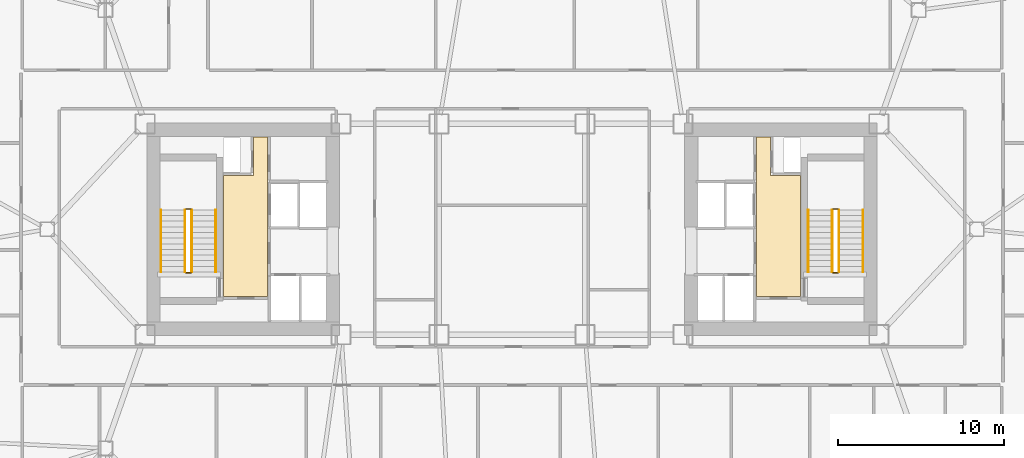
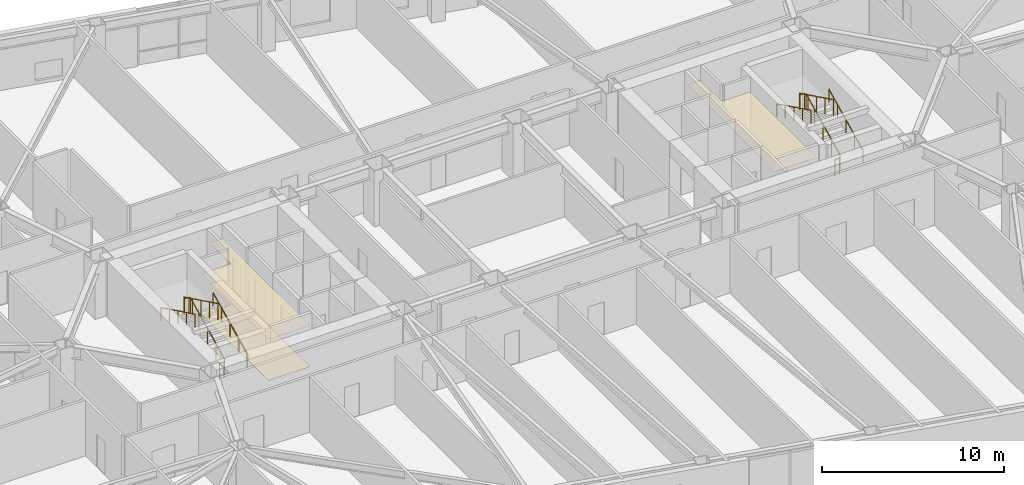
# One storey, part 22 of 22: 12 railings, 3 coverings.
"""IFC4 building model written with IfcOpenShell, lengths in metres."""

import ifcopenshell
import ifcopenshell.guid

model = None  # the IFC model being written
_history = None  # IfcOwnerHistory: only IFC2X3 demands one
_inside = {}  # id of a spatial element -> (the spatial element, [elements in it])
_under = {}  # id of a project, library or spatial element -> (it, [spatial elements below it])
_declared = {}  # id of a project -> (the project, [libraries it declares])
_typed = {}  # id of a type object -> (the type object, [elements of that type])
_made_of = {}  # id of a material, layer set ... -> (it, [elements and type objects made of it])


def new_model(schema):
    """Start an empty IFC model of exactly this schema.

    Asked for "IFC4X3", IfcOpenShell would pick the latest addendum, in which some entities
    have other attributes; the version numbers below select the first issue.
    IFC2X3 requires an IfcOwnerHistory on every rooted entity: one is made here for all.
    """
    global model, _history
    if schema == "IFC4X3":
        model = ifcopenshell.file(schema_version=(4, 3, 0, 0))
    else:
        model = ifcopenshell.file(schema=schema)
    _inside.clear()
    _under.clear()
    _declared.clear()
    _typed.clear()
    _made_of.clear()
    _history = None
    if model.schema == "IFC2X3":
        org = make("IfcOrganization", Name="unknown")
        user = make(
            "IfcPersonAndOrganization",
            ThePerson=make("IfcPerson", FamilyName="unknown"),
            TheOrganization=org,
        )
        app = make(
            "IfcApplication",
            ApplicationDeveloper=org,
            Version="unknown",
            ApplicationFullName="unknown",
            ApplicationIdentifier="unknown",
        )
        _history = make(
            "IfcOwnerHistory",
            OwningUser=user,
            OwningApplication=app,
            ChangeAction="ADDED",
            CreationDate=0,
        )
    return model


def make(cls, **values):
    """One entity of the class cls with the attributes given. An attribute that is None is left unset."""
    return model.create_entity(
        cls, **{name: value for name, value in values.items() if value is not None}
    )


def rooted(cls, **values):
    """An entity with a GlobalId (a new one), such as an element, a storey or a relation."""
    return make(cls, GlobalId=ifcopenshell.guid.new(), OwnerHistory=_history, **values)


def si_unit(unit_type, name, prefix=None):
    """IfcSIUnit, for example si_unit("LENGTHUNIT", "METRE", prefix="MILLI")."""
    return make("IfcSIUnit", UnitType=unit_type, Prefix=prefix, Name=name)


def assignment(units):
    """IfcUnitAssignment: the units of a project."""
    return None if units is None else make("IfcUnitAssignment", Units=units)


def point(xyz):
    """IfcCartesianPoint."""
    return None if xyz is None else make("IfcCartesianPoint", Coordinates=xyz)


def direction(xyz):
    """IfcDirection."""
    return None if xyz is None else make("IfcDirection", DirectionRatios=xyz)


def frame(location, z_axis=None, x_axis=None):
    """IfcAxis2Placement3D, a coordinate frame: its origin and axes. An axis left out is left unset."""
    return make(
        "IfcAxis2Placement3D",
        Location=point(location),
        Axis=direction(z_axis),
        RefDirection=direction(x_axis),
    )


def frame_2d(location, x_axis=None):
    """IfcAxis2Placement2D, a coordinate frame in the plane: its origin and x axis."""
    return make(
        "IfcAxis2Placement2D", Location=point(location), RefDirection=direction(x_axis)
    )


def origin():
    """The frame at (0, 0, 0) with its axes left unset."""
    return frame((0.0, 0.0, 0.0))


def origin_2d():
    """The frame at (0, 0) in the plane with its x axis left unset."""
    return frame_2d((0.0, 0.0))


def place(relative_to, where):
    """IfcLocalPlacement: puts the frame where relative to a parent placement (None: the world)."""
    return make(
        "IfcLocalPlacement", PlacementRelTo=relative_to, RelativePlacement=where
    )


def context(
    kind, dimensions, precision=None, world=None, true_north=None, identifier=None
):
    """IfcGeometricRepresentationContext, for example the 3D "Model" context."""
    return make(
        "IfcGeometricRepresentationContext",
        ContextIdentifier=identifier,
        ContextType=kind,
        CoordinateSpaceDimension=dimensions,
        Precision=precision,
        WorldCoordinateSystem=world,
        TrueNorth=true_north,
    )


def subcontext(parent, identifier, kind, view, scale=None):
    """IfcGeometricRepresentationSubContext, for example "Body" below "Model"."""
    return make(
        "IfcGeometricRepresentationSubContext",
        ContextIdentifier=identifier,
        ContextType=kind,
        ParentContext=parent,
        TargetScale=scale,
        TargetView=view,
    )


def project(units=None, contexts=None):
    """IfcProject with its units and contexts."""
    return rooted(
        "IfcProject",
        Name="project",
        RepresentationContexts=contexts,
        UnitsInContext=assignment(units),
    )


def spatial(cls, under=None, at=None, **own):
    """A site, building, storey or space (cls), placed at a placement, below another one or the project."""
    s = rooted(cls, ObjectPlacement=at, **own)
    if under is not None:
        _under.setdefault(under.id(), (under, []))[1].append(s)
    return s


def polyline(points):
    """IfcPolyline through the points."""
    return make("IfcPolyline", Points=[point(p) for p in points])


def profile(cls, at=None, kind="AREA", **sizes):
    """A parametric profile (cls). Its sizes go by their IFC names, for example OverallWidth=200.0."""
    return make(cls, ProfileType=kind, Position=at, **sizes)


def rectangle(**sizes):
    """IfcRectangleProfileDef."""
    return profile("IfcRectangleProfileDef", **sizes)


def outline(outer, holes=None, kind="AREA"):
    """IfcArbitraryClosedProfileDef: a profile drawn as a closed curve; with holes, ...WithVoids."""
    if holes is None:
        return make("IfcArbitraryClosedProfileDef", ProfileType=kind, OuterCurve=outer)
    return make(
        "IfcArbitraryProfileDefWithVoids",
        ProfileType=kind,
        OuterCurve=outer,
        InnerCurves=holes,
    )


def extrude(swept, where, along, depth):
    """IfcExtrudedAreaSolid: the profile swept, set in the frame where, extruded along a direction by depth."""
    return make(
        "IfcExtrudedAreaSolid",
        SweptArea=swept,
        Position=where,
        ExtrudedDirection=direction(along),
        Depth=depth,
    )


def shape(context_of_items, identifier, shape_type, items):
    """IfcShapeRepresentation: the items that make up one representation, for example the "Body"."""
    return make(
        "IfcShapeRepresentation",
        ContextOfItems=context_of_items,
        RepresentationIdentifier=identifier,
        RepresentationType=shape_type,
        Items=items,
    )


def material(Name=None, Category=None):
    """IfcMaterial."""
    return make("IfcMaterial", Name=Name, Category=Category)


def layer(
    of_material, thickness, ventilated=None, Name=None, Category=None, Priority=None
):
    """IfcMaterialLayer: one layer of a wall or slab, of a material (None: an air gap)."""
    return make(
        "IfcMaterialLayer",
        Material=of_material,
        LayerThickness=thickness,
        IsVentilated=ventilated,
        Name=Name,
        Category=Category,
        Priority=Priority,
    )


def layer_set(layers, Name=None):
    """IfcMaterialLayerSet."""
    return make("IfcMaterialLayerSet", MaterialLayers=layers, LayerSetName=Name)


def made_of(thing, what):
    """Note that an element or type object is made of a material, layer set ...; save() writes the relation."""
    if what is not None:
        _made_of.setdefault(what.id(), (what, []))[1].append(thing)
    return thing


def type_object(cls, material=None, **own):
    """A type object (cls), such as IfcWallType, which elements share."""
    return made_of(rooted(cls, **own), material)


def element(
    cls,
    number,
    at=None,
    inside=None,
    cuts=None,
    type_object=None,
    material=None,
    context=None,
    identifier="Body",
    shape_type=None,
    held_by="IfcProductDefinitionShape",
    body=None,
    shapes=None,
    **own,
):
    """One element of the class cls, such as IfcWall. Its Tag is "e" and its number.

    at: its placement. inside: the storey or other place that contains it. cuts: it is an
    opening in that element (IfcRelVoidsElement). A single representation is given by context,
    identifier, shape_type and body (its items); several are given by shapes. held_by: the class
    of the entity that holds the representations. save() writes the other relations.
    """
    e = rooted(cls, Tag="e%d" % number, ObjectPlacement=at, **own)
    if body is not None:
        shapes = [shape(context, identifier, shape_type, body)]
    if shapes is not None:
        e.Representation = make(held_by, Representations=shapes)
    if inside is not None:
        _inside.setdefault(inside.id(), (inside, []))[1].append(e)
    if cuts is not None:
        rooted(
            "IfcRelVoidsElement", RelatingBuildingElement=cuts, RelatedOpeningElement=e
        )
    if type_object is not None:
        _typed.setdefault(type_object.id(), (type_object, []))[1].append(e)
    return made_of(e, material)


def aggregate(whole, parts):
    """IfcRelAggregates: a whole, such as a stair, and the parts it consists of."""
    return rooted("IfcRelAggregates", RelatingObject=whole, RelatedObjects=parts)


def save(model, path):
    """Write the relations noted so far, then the file.

    IfcRelAggregates (storeys below a building ...), IfcRelContainedInSpatialStructure (elements
    in a storey), IfcRelDefinesByType, IfcRelAssociatesMaterial and IfcRelDeclares: one each for
    every whole, place, type object, material and project.
    """
    for whole, parts in _under.values():
        aggregate(whole, parts)
    for where, things in _inside.values():
        rooted(
            "IfcRelContainedInSpatialStructure",
            RelatedElements=things,
            RelatingStructure=where,
        )
    for kind, things in _typed.values():
        rooted("IfcRelDefinesByType", RelatedObjects=things, RelatingType=kind)
    for what, things in _made_of.values():
        rooted("IfcRelAssociatesMaterial", RelatedObjects=things, RelatingMaterial=what)
    for by, libraries in _declared.values():
        rooted("IfcRelDeclares", RelatingContext=by, RelatedDefinitions=libraries)
    model.write(path)


model = new_model("IFC4")

# Units and contexts
model_context = context("Model", 3, precision=1e-05, world=origin(), true_north=direction((0.0, 1.0)))
body_context = subcontext(model_context, "Body", "Model", "MODEL_VIEW")
ifc_project = project(units=[si_unit("LENGTHUNIT", "METRE"), si_unit("AREAUNIT", "SQUARE_METRE"), si_unit("VOLUMEUNIT", "CUBIC_METRE"), si_unit("PLANEANGLEUNIT", "RADIAN"), si_unit("MASSUNIT", "GRAM", prefix="KILO")], contexts=[model_context])

# Site, building, storey
site_placement = place(None, origin())
site = spatial("IfcSite", under=ifc_project, at=site_placement, CompositionType="ELEMENT")
building_placement = place(site_placement, origin())
building = spatial("IfcBuilding", under=site, at=building_placement, Name="Tavrogorsk Clinical Tower", CompositionType="ELEMENT")
storey_placement = place(building_placement, frame((0.0, 0.0, 55.39990234375)))
storey = spatial("IfcBuildingStorey", under=building, at=storey_placement, Name="L11", CompositionType="ELEMENT", Elevation=55.39990234375)

# Coverings
ifc_material_1 = material(Name="Antibacterial micro-perforated aluminium ceiling", Category="aluminium")
ifc_layer_1 = layer(ifc_material_1, 0.014892578125)
ifc_layer_set_1 = layer_set([ifc_layer_1], Name="Antibacterial micro-perforated aluminium ceiling")
covering_type_1 = type_object("IfcCoveringType", Name="ClinicalCeiling_15", PredefinedType="CEILING", material=ifc_layer_set_1)
covering_1_placement = place(storey_placement, frame((0.0, 0.0, 2.75)))
element("IfcCovering", 1, at=covering_1_placement, inside=storey, type_object=covering_type_1, Name="Core West Firefighting Lift Lobby Acoustic Ceiling", PredefinedType="CEILING", context=body_context, shape_type="SweptSolid", body=[
    extrude(outline(polyline([(-14.719970703125, 5.56005859375), (-14.719970703125, -4.06005859375), (-17.3798828125, -4.06005859375), (-17.3798828125, 3.239990234375), (-15.56005859375, 3.239990234375), (-15.56005859375, 5.56005859375), (-14.719970703125, 5.56005859375)])), origin(), (0.0, 0.0, 1.0), 0.01513671875),
])
covering_2_placement = place(storey_placement, frame((0.0, 0.0, 2.75)))
element("IfcCovering", 2, at=covering_2_placement, inside=storey, type_object=covering_type_1, Name="Core East Firefighting Lift Lobby Acoustic Ceiling", PredefinedType="CEILING", context=body_context, shape_type="SweptSolid", body=[
    extrude(outline(polyline([(17.3798828125, -4.06005859375), (14.719970703125, -4.06005859375), (14.719970703125, 5.56005859375), (15.56005859375, 5.56005859375), (15.56005859375, 3.239990234375), (17.3798828125, 3.239990234375), (17.3798828125, -4.06005859375)])), origin(), (0.0, 0.0, 1.0), 0.01513671875),
])
ifc_material_2 = material(Name="Homogeneous medical conductive PVC flooring")
ifc_layer_2 = layer(ifc_material_2, 0.008056640625)
ifc_layer_set_2 = layer_set([ifc_layer_2], Name="Homogeneous medical conductive PVC flooring")
covering_type_2 = type_object("IfcCoveringType", Name="ResilientVinylFloor_8", PredefinedType="FLOORING", material=ifc_layer_set_2)
covering_3_placement = place(storey_placement, origin())
element("IfcCovering", 3, at=covering_3_placement, inside=storey, type_object=covering_type_2, Name="Core West Firefighting Lift Lobby Conductive Vinyl Flooring", PredefinedType="FLOORING", context=body_context, shape_type="SweptSolid", body=[
    extrude(outline(polyline([(-14.719970703125, 5.56005859375), (-14.719970703125, -4.06005859375), (-17.3798828125, -4.06005859375), (-17.3798828125, 3.239990234375), (-15.56005859375, 3.239990234375), (-15.56005859375, 5.56005859375), (-14.719970703125, 5.56005859375)])), origin(), (0.0, 0.0, 1.0), 0.008056640625),
])

# Railings
ifc_material_3 = material(Name="Galvanised steel S355 safety stairwell guard", Category="steel")
ifc_layer_3 = layer(ifc_material_3, 0.06005859375)
ifc_layer_set_3 = layer_set([ifc_layer_3], Name="Galvanised steel S355 safety stairwell guard")
railing_type_1 = type_object("IfcRailingType", Name="StairGuard_1150", PredefinedType="GUARDRAIL", material=ifc_layer_set_3)
railing_1_placement = place(storey_placement, frame((-19.300048828125, -2.574951171875, 0.166748046875)))
element("IfcRailing", 4, at=railing_1_placement, inside=storey, type_object=railing_type_1, Name="L11 ST-W stair guard 1", PredefinedType="GUARDRAIL", context=body_context, shape_type="SweptSolid", body=[
    extrude(rectangle(XDim=0.048095703125, YDim=0.048095703125, at=origin_2d()), frame((0.0, 0.0, 1.076171875), z_axis=(0.0, 0.897927990467, 0.440142390523), x_axis=(-1.0, 0.0, 0.0)), (0.0, 0.0, 1.0), 4.1650390625),
    extrude(rectangle(XDim=0.0419921875, YDim=0.0419921875, at=origin_2d()), origin(), (0.0, 0.0, 1.0), 1.052001953125),
    extrude(rectangle(XDim=0.0419921875, YDim=0.0419921875, at=origin_2d()), frame((0.0, 0.93505859375, 0.458251953125)), (0.0, 0.0, 1.0), 1.052001953125),
    extrude(rectangle(XDim=0.0419921875, YDim=0.0419921875, at=origin_2d()), frame((0.0, 1.8701171875, 0.91650390625)), (0.0, 0.0, 1.0), 1.052001953125),
    extrude(rectangle(XDim=0.0419921875, YDim=0.0419921875, at=origin_2d()), frame((0.0, 2.804931640625, 1.375)), (0.0, 0.0, 1.0), 1.052001953125),
    extrude(rectangle(XDim=0.0419921875, YDim=0.0419921875, at=origin_2d()), frame((0.0, 3.739990234375, 1.833251953125)), (0.0, 0.0, 1.0), 1.052001953125),
])
railing_2_placement = place(storey_placement, frame((-19.35009765625, 1.215087890625, 2.0)))
element("IfcRailing", 5, at=railing_2_placement, inside=storey, type_object=railing_type_1, Name="L11 ST-W stair guard 2", PredefinedType="GUARDRAIL", context=body_context, shape_type="SweptSolid", body=[
    extrude(rectangle(XDim=0.048095703125, YDim=0.048095703125, at=origin_2d()), frame((0.0, 0.0, 1.076171875), z_axis=(-1.0, 0.0, 0.0), x_axis=(0.0, -1.0, 0.0)), (0.0, 0.0, 1.0), 0.2998046875),
    extrude(rectangle(XDim=0.0419921875, YDim=0.0419921875, at=origin_2d()), origin(), (0.0, 0.0, 1.0), 1.052001953125),
    extrude(rectangle(XDim=0.0419921875, YDim=0.0419921875, at=origin_2d()), frame((-0.2998046875, 0.0, 0.0)), (0.0, 0.0, 1.0), 1.052001953125),
])
railing_3_placement = place(storey_placement, frame((-19.699951171875, 1.1650390625, 2.166748046875)))
element("IfcRailing", 6, at=railing_3_placement, inside=storey, type_object=railing_type_1, Name="L11 ST-W stair guard 3", PredefinedType="GUARDRAIL", context=body_context, shape_type="SweptSolid", body=[
    extrude(rectangle(XDim=0.048095703125, YDim=0.048095703125, at=origin_2d()), frame((0.0, 0.0, 1.076171875), z_axis=(0.0, -0.897927990467, 0.440142390523), x_axis=(1.0, 0.0, 0.0)), (0.0, 0.0, 1.0), 4.1650390625),
    extrude(rectangle(XDim=0.0419921875, YDim=0.0419921875, at=origin_2d()), origin(), (0.0, 0.0, 1.0), 1.052001953125),
    extrude(rectangle(XDim=0.0419921875, YDim=0.0419921875, at=origin_2d()), frame((0.0, -0.93505859375, 0.458251953125)), (0.0, 0.0, 1.0), 1.052001953125),
    extrude(rectangle(XDim=0.0419921875, YDim=0.0419921875, at=origin_2d()), frame((0.0, -1.8701171875, 0.91650390625)), (0.0, 0.0, 1.0), 1.052001953125),
    extrude(rectangle(XDim=0.0419921875, YDim=0.0419921875, at=origin_2d()), frame((0.0, -2.804931640625, 1.375)), (0.0, 0.0, 1.0), 1.052001953125),
    extrude(rectangle(XDim=0.0419921875, YDim=0.0419921875, at=origin_2d()), frame((0.0, -3.739990234375, 1.833251953125)), (0.0, 0.0, 1.0), 1.052001953125),
])
railing_4_placement = place(storey_placement, frame((-19.35009765625, -2.625, 0.0)))
element("IfcRailing", 7, at=railing_4_placement, inside=storey, type_object=railing_type_1, Name="L11 ST-W stair guard 4", PredefinedType="GUARDRAIL", context=body_context, shape_type="SweptSolid", body=[
    extrude(rectangle(XDim=0.048095703125, YDim=0.048095703125, at=origin_2d()), frame((0.0, 0.0, 1.076171875), z_axis=(-1.0, 0.0, 0.0), x_axis=(0.0, -1.0, 0.0)), (0.0, 0.0, 1.0), 0.2998046875),
    extrude(rectangle(XDim=0.0419921875, YDim=0.0419921875, at=origin_2d()), origin(), (0.0, 0.0, 1.0), 1.052001953125),
    extrude(rectangle(XDim=0.0419921875, YDim=0.0419921875, at=origin_2d()), frame((-0.2998046875, 0.0, 0.0)), (0.0, 0.0, 1.0), 1.052001953125),
])
railing_5_placement = place(storey_placement, frame((19.699951171875, -2.574951171875, 0.166748046875)))
element("IfcRailing", 8, at=railing_5_placement, inside=storey, type_object=railing_type_1, Name="L11 ST-E stair guard 1", PredefinedType="GUARDRAIL", context=body_context, shape_type="SweptSolid", body=[
    extrude(rectangle(XDim=0.048095703125, YDim=0.048095703125, at=origin_2d()), frame((0.0, 0.0, 1.076171875), z_axis=(0.0, 0.897927990467, 0.440142390523), x_axis=(-1.0, 0.0, 0.0)), (0.0, 0.0, 1.0), 4.1650390625),
    extrude(rectangle(XDim=0.0419921875, YDim=0.0419921875, at=origin_2d()), origin(), (0.0, 0.0, 1.0), 1.052001953125),
    extrude(rectangle(XDim=0.0419921875, YDim=0.0419921875, at=origin_2d()), frame((0.0, 0.93505859375, 0.458251953125)), (0.0, 0.0, 1.0), 1.052001953125),
    extrude(rectangle(XDim=0.0419921875, YDim=0.0419921875, at=origin_2d()), frame((0.0, 1.8701171875, 0.91650390625)), (0.0, 0.0, 1.0), 1.052001953125),
    extrude(rectangle(XDim=0.0419921875, YDim=0.0419921875, at=origin_2d()), frame((0.0, 2.804931640625, 1.375)), (0.0, 0.0, 1.0), 1.052001953125),
    extrude(rectangle(XDim=0.0419921875, YDim=0.0419921875, at=origin_2d()), frame((0.0, 3.739990234375, 1.833251953125)), (0.0, 0.0, 1.0), 1.052001953125),
])
railing_6_placement = place(storey_placement, frame((19.64990234375, 1.215087890625, 2.0)))
element("IfcRailing", 9, at=railing_6_placement, inside=storey, type_object=railing_type_1, Name="L11 ST-E stair guard 2", PredefinedType="GUARDRAIL", context=body_context, shape_type="SweptSolid", body=[
    extrude(rectangle(XDim=0.048095703125, YDim=0.048095703125, at=origin_2d()), frame((0.0, 0.0, 1.076171875), z_axis=(-1.0, 0.0, 0.0), x_axis=(0.0, -1.0, 0.0)), (0.0, 0.0, 1.0), 0.2998046875),
    extrude(rectangle(XDim=0.0419921875, YDim=0.0419921875, at=origin_2d()), origin(), (0.0, 0.0, 1.0), 1.052001953125),
    extrude(rectangle(XDim=0.0419921875, YDim=0.0419921875, at=origin_2d()), frame((-0.2998046875, 0.0, 0.0)), (0.0, 0.0, 1.0), 1.052001953125),
])
railing_7_placement = place(storey_placement, frame((19.300048828125, 1.1650390625, 2.166748046875)))
element("IfcRailing", 10, at=railing_7_placement, inside=storey, type_object=railing_type_1, Name="L11 ST-E stair guard 3", PredefinedType="GUARDRAIL", context=body_context, shape_type="SweptSolid", body=[
    extrude(rectangle(XDim=0.048095703125, YDim=0.048095703125, at=origin_2d()), frame((0.0, 0.0, 1.076171875), z_axis=(0.0, -0.897927990467, 0.440142390523), x_axis=(1.0, 0.0, 0.0)), (0.0, 0.0, 1.0), 4.1650390625),
    extrude(rectangle(XDim=0.0419921875, YDim=0.0419921875, at=origin_2d()), origin(), (0.0, 0.0, 1.0), 1.052001953125),
    extrude(rectangle(XDim=0.0419921875, YDim=0.0419921875, at=origin_2d()), frame((0.0, -0.93505859375, 0.458251953125)), (0.0, 0.0, 1.0), 1.052001953125),
    extrude(rectangle(XDim=0.0419921875, YDim=0.0419921875, at=origin_2d()), frame((0.0, -1.8701171875, 0.91650390625)), (0.0, 0.0, 1.0), 1.052001953125),
    extrude(rectangle(XDim=0.0419921875, YDim=0.0419921875, at=origin_2d()), frame((0.0, -2.804931640625, 1.375)), (0.0, 0.0, 1.0), 1.052001953125),
    extrude(rectangle(XDim=0.0419921875, YDim=0.0419921875, at=origin_2d()), frame((0.0, -3.739990234375, 1.833251953125)), (0.0, 0.0, 1.0), 1.052001953125),
])
railing_8_placement = place(storey_placement, frame((19.64990234375, -2.625, 0.0)))
element("IfcRailing", 11, at=railing_8_placement, inside=storey, type_object=railing_type_1, Name="L11 ST-E stair guard 4", PredefinedType="GUARDRAIL", context=body_context, shape_type="SweptSolid", body=[
    extrude(rectangle(XDim=0.048095703125, YDim=0.048095703125, at=origin_2d()), frame((0.0, 0.0, 1.076171875), z_axis=(-1.0, 0.0, 0.0), x_axis=(0.0, -1.0, 0.0)), (0.0, 0.0, 1.0), 0.2998046875),
    extrude(rectangle(XDim=0.0419921875, YDim=0.0419921875, at=origin_2d()), origin(), (0.0, 0.0, 1.0), 1.052001953125),
    extrude(rectangle(XDim=0.0419921875, YDim=0.0419921875, at=origin_2d()), frame((-0.2998046875, 0.0, 0.0)), (0.0, 0.0, 1.0), 1.052001953125),
])
ifc_material_4 = material(Name="Stainless steel AISI 304 tubular handrail", Category="steel")
ifc_layer_4 = layer(ifc_material_4, 0.050048828125)
ifc_layer_set_4 = layer_set([ifc_layer_4], Name="Stainless steel AISI 304 tubular handrail")
railing_type_2 = type_object("IfcRailingType", Name="StairHandrail_920", PredefinedType="HANDRAIL", material=ifc_layer_set_4)
railing_9_placement = place(storey_placement, frame((-17.85009765625, -2.574951171875, 0.166748046875)))
element("IfcRailing", 12, at=railing_9_placement, inside=storey, type_object=railing_type_2, Name="L11 ST-W stair handrail 1", PredefinedType="HANDRAIL", context=body_context, shape_type="SweptSolid", body=[
    extrude(rectangle(XDim=0.048095703125, YDim=0.048095703125, at=origin_2d()), frame((0.0, 0.0, 0.8759765625), z_axis=(0.0, 0.897927990467, 0.440142390523), x_axis=(-1.0, 0.0, 0.0)), (0.0, 0.0, 1.0), 4.1650390625),
    extrude(rectangle(XDim=0.0419921875, YDim=0.0419921875, at=origin_2d()), origin(), (0.0, 0.0, 1.0), 0.851806640625),
    extrude(rectangle(XDim=0.0419921875, YDim=0.0419921875, at=origin_2d()), frame((0.0, 0.93505859375, 0.458251953125)), (0.0, 0.0, 1.0), 0.851806640625),
    extrude(rectangle(XDim=0.0419921875, YDim=0.0419921875, at=origin_2d()), frame((0.0, 1.8701171875, 0.91650390625)), (0.0, 0.0, 1.0), 0.851806640625),
    extrude(rectangle(XDim=0.0419921875, YDim=0.0419921875, at=origin_2d()), frame((0.0, 2.804931640625, 1.375)), (0.0, 0.0, 1.0), 0.851806640625),
    extrude(rectangle(XDim=0.0419921875, YDim=0.0419921875, at=origin_2d()), frame((0.0, 3.739990234375, 1.833251953125)), (0.0, 0.0, 1.0), 0.851806640625),
])
railing_10_placement = place(storey_placement, frame((-21.14990234375, 1.1650390625, 2.166748046875)))
element("IfcRailing", 13, at=railing_10_placement, inside=storey, type_object=railing_type_2, Name="L11 ST-W stair handrail 2", PredefinedType="HANDRAIL", context=body_context, shape_type="SweptSolid", body=[
    extrude(rectangle(XDim=0.048095703125, YDim=0.048095703125, at=origin_2d()), frame((0.0, 0.0, 0.8759765625), z_axis=(0.0, -0.897927990467, 0.440142390523), x_axis=(1.0, 0.0, 0.0)), (0.0, 0.0, 1.0), 4.1650390625),
    extrude(rectangle(XDim=0.0419921875, YDim=0.0419921875, at=origin_2d()), origin(), (0.0, 0.0, 1.0), 0.851806640625),
    extrude(rectangle(XDim=0.0419921875, YDim=0.0419921875, at=origin_2d()), frame((0.0, -0.93505859375, 0.458251953125)), (0.0, 0.0, 1.0), 0.851806640625),
    extrude(rectangle(XDim=0.0419921875, YDim=0.0419921875, at=origin_2d()), frame((0.0, -1.8701171875, 0.91650390625)), (0.0, 0.0, 1.0), 0.851806640625),
    extrude(rectangle(XDim=0.0419921875, YDim=0.0419921875, at=origin_2d()), frame((0.0, -2.804931640625, 1.375)), (0.0, 0.0, 1.0), 0.851806640625),
    extrude(rectangle(XDim=0.0419921875, YDim=0.0419921875, at=origin_2d()), frame((0.0, -3.739990234375, 1.833251953125)), (0.0, 0.0, 1.0), 0.851806640625),
])
railing_11_placement = place(storey_placement, frame((21.14990234375, -2.574951171875, 0.166748046875)))
element("IfcRailing", 14, at=railing_11_placement, inside=storey, type_object=railing_type_2, Name="L11 ST-E stair handrail 1", PredefinedType="HANDRAIL", context=body_context, shape_type="SweptSolid", body=[
    extrude(rectangle(XDim=0.048095703125, YDim=0.048095703125, at=origin_2d()), frame((0.0, 0.0, 0.8759765625), z_axis=(0.0, 0.897927990467, 0.440142390523), x_axis=(-1.0, 0.0, 0.0)), (0.0, 0.0, 1.0), 4.1650390625),
    extrude(rectangle(XDim=0.0419921875, YDim=0.0419921875, at=origin_2d()), origin(), (0.0, 0.0, 1.0), 0.851806640625),
    extrude(rectangle(XDim=0.0419921875, YDim=0.0419921875, at=origin_2d()), frame((0.0, 0.93505859375, 0.458251953125)), (0.0, 0.0, 1.0), 0.851806640625),
    extrude(rectangle(XDim=0.0419921875, YDim=0.0419921875, at=origin_2d()), frame((0.0, 1.8701171875, 0.91650390625)), (0.0, 0.0, 1.0), 0.851806640625),
    extrude(rectangle(XDim=0.0419921875, YDim=0.0419921875, at=origin_2d()), frame((0.0, 2.804931640625, 1.375)), (0.0, 0.0, 1.0), 0.851806640625),
    extrude(rectangle(XDim=0.0419921875, YDim=0.0419921875, at=origin_2d()), frame((0.0, 3.739990234375, 1.833251953125)), (0.0, 0.0, 1.0), 0.851806640625),
])
railing_12_placement = place(storey_placement, frame((17.85009765625, 1.1650390625, 2.166748046875)))
element("IfcRailing", 15, at=railing_12_placement, inside=storey, type_object=railing_type_2, Name="L11 ST-E stair handrail 2", PredefinedType="HANDRAIL", context=body_context, shape_type="SweptSolid", body=[
    extrude(rectangle(XDim=0.048095703125, YDim=0.048095703125, at=origin_2d()), frame((0.0, 0.0, 0.8759765625), z_axis=(0.0, -0.897927990467, 0.440142390523), x_axis=(1.0, 0.0, 0.0)), (0.0, 0.0, 1.0), 4.1650390625),
    extrude(rectangle(XDim=0.0419921875, YDim=0.0419921875, at=origin_2d()), origin(), (0.0, 0.0, 1.0), 0.851806640625),
    extrude(rectangle(XDim=0.0419921875, YDim=0.0419921875, at=origin_2d()), frame((0.0, -0.93505859375, 0.458251953125)), (0.0, 0.0, 1.0), 0.851806640625),
    extrude(rectangle(XDim=0.0419921875, YDim=0.0419921875, at=origin_2d()), frame((0.0, -1.8701171875, 0.91650390625)), (0.0, 0.0, 1.0), 0.851806640625),
    extrude(rectangle(XDim=0.0419921875, YDim=0.0419921875, at=origin_2d()), frame((0.0, -2.804931640625, 1.375)), (0.0, 0.0, 1.0), 0.851806640625),
    extrude(rectangle(XDim=0.0419921875, YDim=0.0419921875, at=origin_2d()), frame((0.0, -3.739990234375, 1.833251953125)), (0.0, 0.0, 1.0), 0.851806640625),
])

save(model, "model.ifc")
